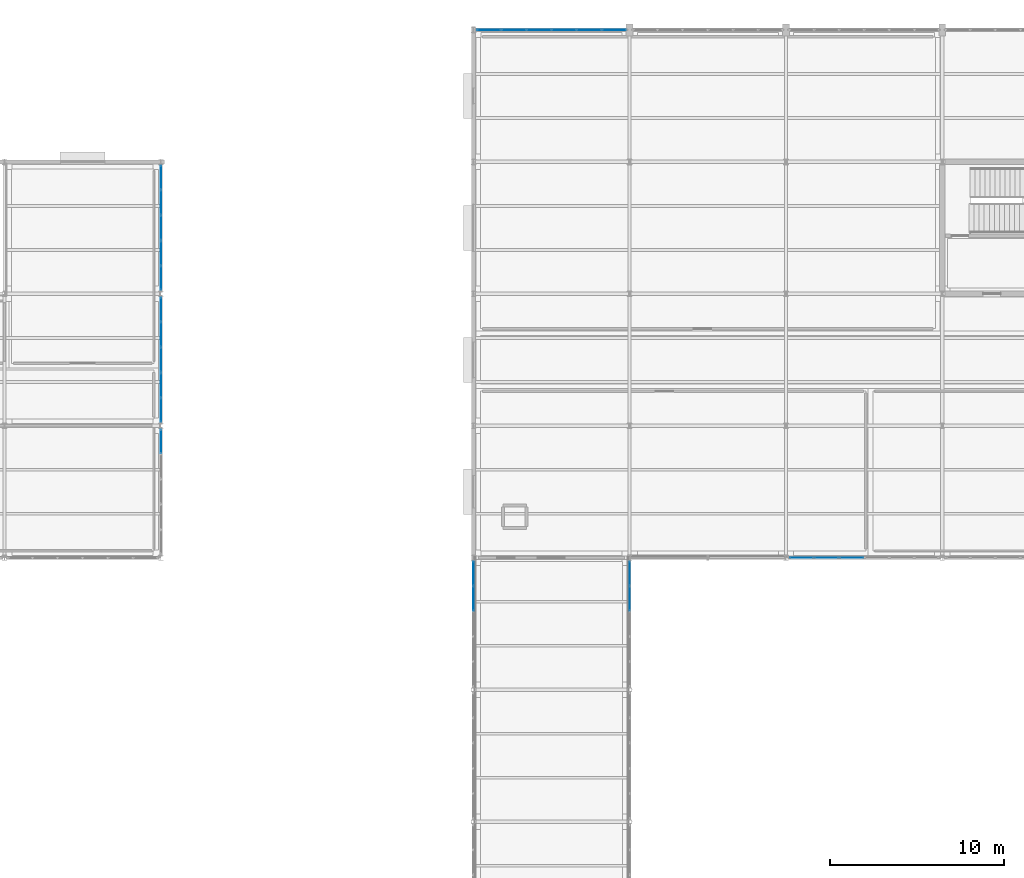
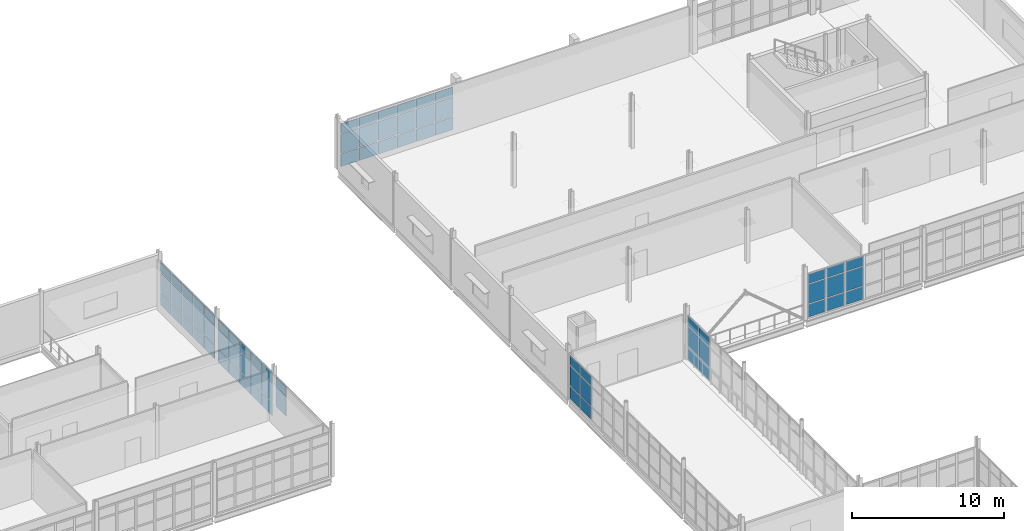
# One storey, part 137 of 174: 71 plates, 7 elements without a shape of their own.
"""IFC4 building model written with IfcOpenShell, lengths in metres."""

from ifc_helpers import new_model, si_unit, direction, frame, origin, origin_2d, place, context, subcontext, project, spatial, rectangle, extrude, material, layer, layer_set, type_object, element, aggregate, save


model = new_model("IFC4")

# Units and contexts
model_context = context("Model", 3, precision=1e-05, world=origin(), true_north=direction((0.0, 1.0)))
body_context = subcontext(model_context, "Body", "Model", "MODEL_VIEW")
ifc_project = project(units=[si_unit("LENGTHUNIT", "METRE"), si_unit("AREAUNIT", "SQUARE_METRE"), si_unit("VOLUMEUNIT", "CUBIC_METRE"), si_unit("PLANEANGLEUNIT", "RADIAN"), si_unit("MASSUNIT", "GRAM", prefix="KILO")], contexts=[model_context])

# Site, building, storey
site_placement = place(None, origin())
site = spatial("IfcSite", under=ifc_project, at=site_placement, CompositionType="ELEMENT")
building_placement = place(site_placement, origin())
building = spatial("IfcBuilding", under=site, at=building_placement, Name="Caisbarro Railhouse Central Library", CompositionType="ELEMENT")
storey_placement = place(building_placement, frame((0.0, 0.0, 5.0400390625)))
storey = spatial("IfcBuildingStorey", under=building, at=storey_placement, Name="L01", CompositionType="ELEMENT", Elevation=5.0400390625)

# Curtain wall, plates
ifc_material_1 = material(Name="Anodised architectural aluminium", Category="aluminium")
curtain_wall_type_1 = type_object("IfcCurtainWallType", Name="CW-CW02", PredefinedType="NOTDEFINED", material=ifc_material_1)
curtain_wall_1_placement = place(storey_placement, origin())
curtain_wall_1 = element("IfcCurtainWall", 1, at=curtain_wall_1_placement, inside=storey, type_object=curtain_wall_type_1, Name="CW02 curtain wall L01 #174", PredefinedType="NOTDEFINED")
ifc_material_2 = material(Name="Double low-e laminated solar-control glass", Category="glass")
ifc_layer_1 = layer(ifc_material_2, 0.01806640625, Name="Double low-e laminated solar-control glass")
ifc_layer_set_1 = layer_set([ifc_layer_1], Name="Double low-e laminated solar-control glass")
plate_type_1 = type_object("IfcPlateType", Name="CWP-CP18", PredefinedType="CURTAIN_PANEL", material=ifc_layer_set_1)
plate_1_placement = place(storey_placement, frame((72.902099609375, 83.60009765625, 0.06494140625), z_axis=(0.0, 0.0, 1.0), x_axis=(1.0, 0.0, 0.0)))
plate_1 = element("IfcPlate", 2, at=plate_1_placement, type_object=plate_type_1, Name="CW02 panel 1.1", PredefinedType="CURTAIN_PANEL", context=body_context, shape_type="SweptSolid", body=[
    extrude(rectangle(XDim=1.334228515625, YDim=0.01806640625, at=origin_2d()), origin(), (0.0, 0.0, 1.0), 1.0224609375),
])
plate_2_placement = place(storey_placement, frame((72.902099609375, 83.60009765625, 1.152587890625), z_axis=(0.0, 0.0, 1.0), x_axis=(1.0, 0.0, 0.0)))
plate_2 = element("IfcPlate", 3, at=plate_2_placement, type_object=plate_type_1, Name="CW02 panel 1.2", PredefinedType="CURTAIN_PANEL", context=body_context, shape_type="SweptSolid", body=[
    extrude(rectangle(XDim=1.334228515625, YDim=0.01806640625, at=origin_2d()), origin(), (0.0, 0.0, 1.0), 1.544921875),
])
plate_3_placement = place(storey_placement, frame((72.902099609375, 83.60009765625, 2.762451171875), z_axis=(0.0, 0.0, 1.0), x_axis=(1.0, 0.0, 0.0)))
plate_3 = element("IfcPlate", 4, at=plate_3_placement, type_object=plate_type_1, Name="CW02 panel 1.3", PredefinedType="CURTAIN_PANEL", context=body_context, shape_type="SweptSolid", body=[
    extrude(rectangle(XDim=1.334228515625, YDim=0.01806640625, at=origin_2d()), origin(), (0.0, 0.0, 1.0), 0.75244140625),
])
plate_4_placement = place(storey_placement, frame((74.330078125, 83.60009765625, 0.06494140625), z_axis=(0.0, 0.0, 1.0), x_axis=(1.0, 0.0, 0.0)))
plate_4 = element("IfcPlate", 5, at=plate_4_placement, type_object=plate_type_1, Name="CW02 panel 2.1", PredefinedType="CURTAIN_PANEL", context=body_context, shape_type="SweptSolid", body=[
    extrude(rectangle(XDim=1.37158203125, YDim=0.01806640625, at=origin_2d()), origin(), (0.0, 0.0, 1.0), 1.0224609375),
])
plate_5_placement = place(storey_placement, frame((74.330078125, 83.60009765625, 1.152587890625), z_axis=(0.0, 0.0, 1.0), x_axis=(1.0, 0.0, 0.0)))
plate_5 = element("IfcPlate", 6, at=plate_5_placement, type_object=plate_type_1, Name="CW02 panel 2.2", PredefinedType="CURTAIN_PANEL", context=body_context, shape_type="SweptSolid", body=[
    extrude(rectangle(XDim=1.37158203125, YDim=0.01806640625, at=origin_2d()), origin(), (0.0, 0.0, 1.0), 1.544921875),
])
plate_6_placement = place(storey_placement, frame((74.330078125, 83.60009765625, 2.762451171875), z_axis=(0.0, 0.0, 1.0), x_axis=(1.0, 0.0, 0.0)))
plate_6 = element("IfcPlate", 7, at=plate_6_placement, type_object=plate_type_1, Name="CW02 panel 2.3", PredefinedType="CURTAIN_PANEL", context=body_context, shape_type="SweptSolid", body=[
    extrude(rectangle(XDim=1.37158203125, YDim=0.01806640625, at=origin_2d()), origin(), (0.0, 0.0, 1.0), 0.75244140625),
])
plate_7_placement = place(storey_placement, frame((75.776611328125, 83.60009765625, 0.06494140625), z_axis=(0.0, 0.0, 1.0), x_axis=(1.0, 0.0, 0.0)))
plate_7 = element("IfcPlate", 8, at=plate_7_placement, type_object=plate_type_1, Name="CW02 panel 3.1", PredefinedType="CURTAIN_PANEL", context=body_context, shape_type="SweptSolid", body=[
    extrude(rectangle(XDim=1.37158203125, YDim=0.01806640625, at=origin_2d()), origin(), (0.0, 0.0, 1.0), 1.0224609375),
])
plate_8_placement = place(storey_placement, frame((75.776611328125, 83.60009765625, 1.152587890625), z_axis=(0.0, 0.0, 1.0), x_axis=(1.0, 0.0, 0.0)))
plate_8 = element("IfcPlate", 9, at=plate_8_placement, type_object=plate_type_1, Name="CW02 panel 3.2", PredefinedType="CURTAIN_PANEL", context=body_context, shape_type="SweptSolid", body=[
    extrude(rectangle(XDim=1.37158203125, YDim=0.01806640625, at=origin_2d()), origin(), (0.0, 0.0, 1.0), 1.544921875),
])
plate_9_placement = place(storey_placement, frame((75.776611328125, 83.60009765625, 2.762451171875), z_axis=(0.0, 0.0, 1.0), x_axis=(1.0, 0.0, 0.0)))
plate_9 = element("IfcPlate", 10, at=plate_9_placement, type_object=plate_type_1, Name="CW02 panel 3.3", PredefinedType="CURTAIN_PANEL", context=body_context, shape_type="SweptSolid", body=[
    extrude(rectangle(XDim=1.37158203125, YDim=0.01806640625, at=origin_2d()), origin(), (0.0, 0.0, 1.0), 0.75244140625),
])
aggregate(curtain_wall_1, [plate_1, plate_2, plate_3, plate_4, plate_5, plate_6, plate_7, plate_8, plate_9])

curtain_wall_type_2 = type_object("IfcCurtainWallType", Name="CW-CW03", PredefinedType="NOTDEFINED", material=ifc_material_1)
curtain_wall_2_placement = place(storey_placement, origin())
curtain_wall_2 = element("IfcCurtainWall", 11, at=curtain_wall_2_placement, inside=storey, type_object=curtain_wall_type_2, Name="CW03 curtain wall L01 #196", PredefinedType="NOTDEFINED")
plate_10_placement = place(storey_placement, frame((54.0, 81.256103515625, 0.06494140625), z_axis=(0.0, 0.0, 1.0), x_axis=(0.0, 1.0, 0.0)))
plate_10 = element("IfcPlate", 12, at=plate_10_placement, type_object=plate_type_1, Name="CW03 panel 4.1", PredefinedType="CURTAIN_PANEL", context=body_context, shape_type="SweptSolid", body=[
    extrude(rectangle(XDim=1.39111328125, YDim=0.01806640625, at=origin_2d()), origin(), (0.0, 0.0, 1.0), 1.0224609375),
])
plate_11_placement = place(storey_placement, frame((54.0, 81.256103515625, 1.15234375), z_axis=(0.0, 0.0, 1.0), x_axis=(0.0, 1.0, 0.0)))
plate_11 = element("IfcPlate", 13, at=plate_11_placement, type_object=plate_type_1, Name="CW03 panel 4.2", PredefinedType="CURTAIN_PANEL", context=body_context, shape_type="SweptSolid", body=[
    extrude(rectangle(XDim=1.39111328125, YDim=0.01806640625, at=origin_2d()), origin(), (0.0, 0.0, 1.0), 1.574951171875),
])
plate_12_placement = place(storey_placement, frame((54.0, 81.256103515625, 2.79248046875), z_axis=(0.0, 0.0, 1.0), x_axis=(0.0, 1.0, 0.0)))
plate_12 = element("IfcPlate", 14, at=plate_12_placement, type_object=plate_type_1, Name="CW03 panel 4.3", PredefinedType="CURTAIN_PANEL", context=body_context, shape_type="SweptSolid", body=[
    extrude(rectangle(XDim=1.39111328125, YDim=0.01806640625, at=origin_2d()), origin(), (0.0, 0.0, 1.0), 0.75244140625),
])
plate_13_placement = place(storey_placement, frame((54.0, 82.69580078125, 0.06494140625), z_axis=(0.0, 0.0, 1.0), x_axis=(0.0, 1.0, 0.0)))
plate_13 = element("IfcPlate", 15, at=plate_13_placement, type_object=plate_type_1, Name="CW03 panel 5.1", PredefinedType="CURTAIN_PANEL", context=body_context, shape_type="SweptSolid", body=[
    extrude(rectangle(XDim=1.3583984375, YDim=0.01806640625, at=origin_2d()), origin(), (0.0, 0.0, 1.0), 1.0224609375),
])
plate_14_placement = place(storey_placement, frame((54.0, 82.69580078125, 1.15234375), z_axis=(0.0, 0.0, 1.0), x_axis=(0.0, 1.0, 0.0)))
plate_14 = element("IfcPlate", 16, at=plate_14_placement, type_object=plate_type_1, Name="CW03 panel 5.2", PredefinedType="CURTAIN_PANEL", context=body_context, shape_type="SweptSolid", body=[
    extrude(rectangle(XDim=1.3583984375, YDim=0.01806640625, at=origin_2d()), origin(), (0.0, 0.0, 1.0), 1.574951171875),
])
plate_15_placement = place(storey_placement, frame((54.0, 82.69580078125, 2.79248046875), z_axis=(0.0, 0.0, 1.0), x_axis=(0.0, 1.0, 0.0)))
plate_15 = element("IfcPlate", 17, at=plate_15_placement, type_object=plate_type_1, Name="CW03 panel 5.3", PredefinedType="CURTAIN_PANEL", context=body_context, shape_type="SweptSolid", body=[
    extrude(rectangle(XDim=1.3583984375, YDim=0.01806640625, at=origin_2d()), origin(), (0.0, 0.0, 1.0), 0.75244140625),
])
aggregate(curtain_wall_2, [plate_10, plate_11, plate_12, plate_13, plate_14, plate_15])

curtain_wall_3_placement = place(storey_placement, origin())
curtain_wall_3 = element("IfcCurtainWall", 18, at=curtain_wall_3_placement, inside=storey, type_object=curtain_wall_type_2, Name="CW03 curtain wall L01 #197", PredefinedType="NOTDEFINED")
plate_16_placement = place(storey_placement, frame((63.0, 81.256103515625, 0.06494140625), z_axis=(0.0, 0.0, 1.0), x_axis=(0.0, 1.0, 0.0)))
plate_16 = element("IfcPlate", 19, at=plate_16_placement, type_object=plate_type_1, Name="CW03 panel 4.1", PredefinedType="CURTAIN_PANEL", context=body_context, shape_type="SweptSolid", body=[
    extrude(rectangle(XDim=1.39111328125, YDim=0.01806640625, at=origin_2d()), origin(), (0.0, 0.0, 1.0), 1.0224609375),
])
plate_17_placement = place(storey_placement, frame((63.0, 81.256103515625, 1.15234375), z_axis=(0.0, 0.0, 1.0), x_axis=(0.0, 1.0, 0.0)))
plate_17 = element("IfcPlate", 20, at=plate_17_placement, type_object=plate_type_1, Name="CW03 panel 4.2", PredefinedType="CURTAIN_PANEL", context=body_context, shape_type="SweptSolid", body=[
    extrude(rectangle(XDim=1.39111328125, YDim=0.01806640625, at=origin_2d()), origin(), (0.0, 0.0, 1.0), 1.574951171875),
])
plate_18_placement = place(storey_placement, frame((63.0, 81.256103515625, 2.79248046875), z_axis=(0.0, 0.0, 1.0), x_axis=(0.0, 1.0, 0.0)))
plate_18 = element("IfcPlate", 21, at=plate_18_placement, type_object=plate_type_1, Name="CW03 panel 4.3", PredefinedType="CURTAIN_PANEL", context=body_context, shape_type="SweptSolid", body=[
    extrude(rectangle(XDim=1.39111328125, YDim=0.01806640625, at=origin_2d()), origin(), (0.0, 0.0, 1.0), 0.75244140625),
])
plate_19_placement = place(storey_placement, frame((63.0, 82.69580078125, 0.06494140625), z_axis=(0.0, 0.0, 1.0), x_axis=(0.0, 1.0, 0.0)))
plate_19 = element("IfcPlate", 22, at=plate_19_placement, type_object=plate_type_1, Name="CW03 panel 5.1", PredefinedType="CURTAIN_PANEL", context=body_context, shape_type="SweptSolid", body=[
    extrude(rectangle(XDim=1.3583984375, YDim=0.01806640625, at=origin_2d()), origin(), (0.0, 0.0, 1.0), 1.0224609375),
])
plate_20_placement = place(storey_placement, frame((63.0, 82.69580078125, 1.15234375), z_axis=(0.0, 0.0, 1.0), x_axis=(0.0, 1.0, 0.0)))
plate_20 = element("IfcPlate", 23, at=plate_20_placement, type_object=plate_type_1, Name="CW03 panel 5.2", PredefinedType="CURTAIN_PANEL", context=body_context, shape_type="SweptSolid", body=[
    extrude(rectangle(XDim=1.3583984375, YDim=0.01806640625, at=origin_2d()), origin(), (0.0, 0.0, 1.0), 1.574951171875),
])
plate_21_placement = place(storey_placement, frame((63.0, 82.69580078125, 2.79248046875), z_axis=(0.0, 0.0, 1.0), x_axis=(0.0, 1.0, 0.0)))
plate_21 = element("IfcPlate", 24, at=plate_21_placement, type_object=plate_type_1, Name="CW03 panel 5.3", PredefinedType="CURTAIN_PANEL", context=body_context, shape_type="SweptSolid", body=[
    extrude(rectangle(XDim=1.3583984375, YDim=0.01806640625, at=origin_2d()), origin(), (0.0, 0.0, 1.0), 0.75244140625),
])
aggregate(curtain_wall_3, [plate_16, plate_17, plate_18, plate_19, plate_20, plate_21])

curtain_wall_4_placement = place(storey_placement, origin())
curtain_wall_4 = element("IfcCurtainWall", 25, at=curtain_wall_4_placement, inside=storey, type_object=curtain_wall_type_1, Name="CW02 curtain wall L01 #83", PredefinedType="NOTDEFINED")
ifc_layer_2 = layer(ifc_material_2, 0.028076171875, Name="Double low-e laminated solar-control glass")
ifc_layer_set_2 = layer_set([ifc_layer_2], Name="Double low-e laminated solar-control glass")
plate_type_2 = type_object("IfcPlateType", Name="CWP-CP28", PredefinedType="CURTAIN_PANEL", material=ifc_layer_set_2)
plate_22_placement = place(storey_placement, frame((36.0, 90.293212890625, 1.152587890625), z_axis=(0.0, 0.0, 1.0), x_axis=(0.0, 1.0, 0.0)))
plate_22 = element("IfcPlate", 26, at=plate_22_placement, type_object=plate_type_2, Name="CW02 panel 5.2", PredefinedType="CURTAIN_PANEL", context=body_context, shape_type="SweptSolid", body=[
    extrude(rectangle(XDim=1.343505859375, YDim=0.028076171875, at=origin_2d()), origin(), (0.0, 0.0, 1.0), 1.544921875),
])
plate_23_placement = place(storey_placement, frame((36.0, 90.293212890625, 2.762451171875), z_axis=(0.0, 0.0, 1.0), x_axis=(0.0, 1.0, 0.0)))
plate_23 = element("IfcPlate", 27, at=plate_23_placement, type_object=plate_type_2, Name="CW02 panel 5.3", PredefinedType="CURTAIN_PANEL", context=body_context, shape_type="SweptSolid", body=[
    extrude(rectangle(XDim=1.343505859375, YDim=0.028076171875, at=origin_2d()), origin(), (0.0, 0.0, 1.0), 0.75244140625),
])
aggregate(curtain_wall_4, [plate_22, plate_23])

curtain_wall_5_placement = place(storey_placement, origin())
curtain_wall_5 = element("IfcCurtainWall", 28, at=curtain_wall_5_placement, inside=storey, type_object=curtain_wall_type_1, Name="CW02 curtain wall L01 #84", PredefinedType="NOTDEFINED")
plate_24_placement = place(storey_placement, frame((36.0, 92.106689453125, 0.06494140625), z_axis=(0.0, 0.0, 1.0), x_axis=(0.0, 1.0, 0.0)))
plate_24 = element("IfcPlate", 29, at=plate_24_placement, type_object=plate_type_2, Name="CW02 panel 1.1", PredefinedType="CURTAIN_PANEL", context=body_context, shape_type="SweptSolid", body=[
    extrude(rectangle(XDim=1.343505859375, YDim=0.028076171875, at=origin_2d()), origin(), (0.0, 0.0, 1.0), 1.0224609375),
])
plate_25_placement = place(storey_placement, frame((36.0, 92.106689453125, 1.152587890625), z_axis=(0.0, 0.0, 1.0), x_axis=(0.0, 1.0, 0.0)))
plate_25 = element("IfcPlate", 30, at=plate_25_placement, type_object=plate_type_2, Name="CW02 panel 1.2", PredefinedType="CURTAIN_PANEL", context=body_context, shape_type="SweptSolid", body=[
    extrude(rectangle(XDim=1.343505859375, YDim=0.028076171875, at=origin_2d()), origin(), (0.0, 0.0, 1.0), 1.544921875),
])
plate_26_placement = place(storey_placement, frame((36.0, 92.106689453125, 2.762451171875), z_axis=(0.0, 0.0, 1.0), x_axis=(0.0, 1.0, 0.0)))
plate_26 = element("IfcPlate", 31, at=plate_26_placement, type_object=plate_type_2, Name="CW02 panel 1.3", PredefinedType="CURTAIN_PANEL", context=body_context, shape_type="SweptSolid", body=[
    extrude(rectangle(XDim=1.343505859375, YDim=0.028076171875, at=origin_2d()), origin(), (0.0, 0.0, 1.0), 0.75244140625),
])
plate_27_placement = place(storey_placement, frame((36.0, 93.5439453125, 0.06494140625), z_axis=(0.0, 0.0, 1.0), x_axis=(0.0, 1.0, 0.0)))
plate_27 = element("IfcPlate", 32, at=plate_27_placement, type_object=plate_type_2, Name="CW02 panel 2.1", PredefinedType="CURTAIN_PANEL", context=body_context, shape_type="SweptSolid", body=[
    extrude(rectangle(XDim=1.381103515625, YDim=0.028076171875, at=origin_2d()), origin(), (0.0, 0.0, 1.0), 1.0224609375),
])
plate_28_placement = place(storey_placement, frame((36.0, 93.5439453125, 1.152587890625), z_axis=(0.0, 0.0, 1.0), x_axis=(0.0, 1.0, 0.0)))
plate_28 = element("IfcPlate", 33, at=plate_28_placement, type_object=plate_type_2, Name="CW02 panel 2.2", PredefinedType="CURTAIN_PANEL", context=body_context, shape_type="SweptSolid", body=[
    extrude(rectangle(XDim=1.381103515625, YDim=0.028076171875, at=origin_2d()), origin(), (0.0, 0.0, 1.0), 1.544921875),
])
plate_29_placement = place(storey_placement, frame((36.0, 93.5439453125, 2.762451171875), z_axis=(0.0, 0.0, 1.0), x_axis=(0.0, 1.0, 0.0)))
plate_29 = element("IfcPlate", 34, at=plate_29_placement, type_object=plate_type_2, Name="CW02 panel 2.3", PredefinedType="CURTAIN_PANEL", context=body_context, shape_type="SweptSolid", body=[
    extrude(rectangle(XDim=1.381103515625, YDim=0.028076171875, at=origin_2d()), origin(), (0.0, 0.0, 1.0), 0.75244140625),
])
plate_30_placement = place(storey_placement, frame((36.0, 95.0, 0.06494140625), z_axis=(0.0, 0.0, 1.0), x_axis=(0.0, 1.0, 0.0)))
plate_30 = element("IfcPlate", 35, at=plate_30_placement, type_object=plate_type_2, Name="CW02 panel 3.1", PredefinedType="CURTAIN_PANEL", context=body_context, shape_type="SweptSolid", body=[
    extrude(rectangle(XDim=1.381103515625, YDim=0.028076171875, at=origin_2d()), origin(), (0.0, 0.0, 1.0), 1.0224609375),
])
plate_31_placement = place(storey_placement, frame((36.0, 95.0, 1.152587890625), z_axis=(0.0, 0.0, 1.0), x_axis=(0.0, 1.0, 0.0)))
plate_31 = element("IfcPlate", 36, at=plate_31_placement, type_object=plate_type_2, Name="CW02 panel 3.2", PredefinedType="CURTAIN_PANEL", context=body_context, shape_type="SweptSolid", body=[
    extrude(rectangle(XDim=1.381103515625, YDim=0.028076171875, at=origin_2d()), origin(), (0.0, 0.0, 1.0), 1.544921875),
])
plate_32_placement = place(storey_placement, frame((36.0, 95.0, 2.762451171875), z_axis=(0.0, 0.0, 1.0), x_axis=(0.0, 1.0, 0.0)))
plate_32 = element("IfcPlate", 37, at=plate_32_placement, type_object=plate_type_2, Name="CW02 panel 3.3", PredefinedType="CURTAIN_PANEL", context=body_context, shape_type="SweptSolid", body=[
    extrude(rectangle(XDim=1.381103515625, YDim=0.028076171875, at=origin_2d()), origin(), (0.0, 0.0, 1.0), 0.75244140625),
])
plate_33_placement = place(storey_placement, frame((36.0, 96.4560546875, 0.06494140625), z_axis=(0.0, 0.0, 1.0), x_axis=(0.0, 1.0, 0.0)))
plate_33 = element("IfcPlate", 38, at=plate_33_placement, type_object=plate_type_2, Name="CW02 panel 4.1", PredefinedType="CURTAIN_PANEL", context=body_context, shape_type="SweptSolid", body=[
    extrude(rectangle(XDim=1.381103515625, YDim=0.028076171875, at=origin_2d()), origin(), (0.0, 0.0, 1.0), 1.0224609375),
])
plate_34_placement = place(storey_placement, frame((36.0, 96.4560546875, 1.152587890625), z_axis=(0.0, 0.0, 1.0), x_axis=(0.0, 1.0, 0.0)))
plate_34 = element("IfcPlate", 39, at=plate_34_placement, type_object=plate_type_2, Name="CW02 panel 4.2", PredefinedType="CURTAIN_PANEL", context=body_context, shape_type="SweptSolid", body=[
    extrude(rectangle(XDim=1.381103515625, YDim=0.028076171875, at=origin_2d()), origin(), (0.0, 0.0, 1.0), 1.544921875),
])
plate_35_placement = place(storey_placement, frame((36.0, 96.4560546875, 2.762451171875), z_axis=(0.0, 0.0, 1.0), x_axis=(0.0, 1.0, 0.0)))
plate_35 = element("IfcPlate", 40, at=plate_35_placement, type_object=plate_type_2, Name="CW02 panel 4.3", PredefinedType="CURTAIN_PANEL", context=body_context, shape_type="SweptSolid", body=[
    extrude(rectangle(XDim=1.381103515625, YDim=0.028076171875, at=origin_2d()), origin(), (0.0, 0.0, 1.0), 0.75244140625),
])
plate_36_placement = place(storey_placement, frame((36.0, 97.893310546875, 0.06494140625), z_axis=(0.0, 0.0, 1.0), x_axis=(0.0, 1.0, 0.0)))
plate_36 = element("IfcPlate", 41, at=plate_36_placement, type_object=plate_type_2, Name="CW02 panel 5.1", PredefinedType="CURTAIN_PANEL", context=body_context, shape_type="SweptSolid", body=[
    extrude(rectangle(XDim=1.343505859375, YDim=0.028076171875, at=origin_2d()), origin(), (0.0, 0.0, 1.0), 1.0224609375),
])
plate_37_placement = place(storey_placement, frame((36.0, 97.893310546875, 1.152587890625), z_axis=(0.0, 0.0, 1.0), x_axis=(0.0, 1.0, 0.0)))
plate_37 = element("IfcPlate", 42, at=plate_37_placement, type_object=plate_type_2, Name="CW02 panel 5.2", PredefinedType="CURTAIN_PANEL", context=body_context, shape_type="SweptSolid", body=[
    extrude(rectangle(XDim=1.343505859375, YDim=0.028076171875, at=origin_2d()), origin(), (0.0, 0.0, 1.0), 1.544921875),
])
plate_38_placement = place(storey_placement, frame((36.0, 97.893310546875, 2.762451171875), z_axis=(0.0, 0.0, 1.0), x_axis=(0.0, 1.0, 0.0)))
plate_38 = element("IfcPlate", 43, at=plate_38_placement, type_object=plate_type_2, Name="CW02 panel 5.3", PredefinedType="CURTAIN_PANEL", context=body_context, shape_type="SweptSolid", body=[
    extrude(rectangle(XDim=1.343505859375, YDim=0.028076171875, at=origin_2d()), origin(), (0.0, 0.0, 1.0), 0.75244140625),
])
aggregate(curtain_wall_5, [plate_24, plate_25, plate_26, plate_27, plate_28, plate_29, plate_30, plate_31, plate_32, plate_33, plate_34, plate_35, plate_36, plate_37, plate_38])

curtain_wall_6_placement = place(storey_placement, origin())
curtain_wall_6 = element("IfcCurtainWall", 44, at=curtain_wall_6_placement, inside=storey, type_object=curtain_wall_type_1, Name="CW02 curtain wall L01 #85", PredefinedType="NOTDEFINED")
plate_39_placement = place(storey_placement, frame((36.0, 99.706787109375, 0.06494140625), z_axis=(0.0, 0.0, 1.0), x_axis=(0.0, 1.0, 0.0)))
plate_39 = element("IfcPlate", 45, at=plate_39_placement, type_object=plate_type_2, Name="CW02 panel 1.1", PredefinedType="CURTAIN_PANEL", context=body_context, shape_type="SweptSolid", body=[
    extrude(rectangle(XDim=1.343505859375, YDim=0.028076171875, at=origin_2d()), origin(), (0.0, 0.0, 1.0), 1.0224609375),
])
plate_40_placement = place(storey_placement, frame((36.0, 99.706787109375, 1.152587890625), z_axis=(0.0, 0.0, 1.0), x_axis=(0.0, 1.0, 0.0)))
plate_40 = element("IfcPlate", 46, at=plate_40_placement, type_object=plate_type_2, Name="CW02 panel 1.2", PredefinedType="CURTAIN_PANEL", context=body_context, shape_type="SweptSolid", body=[
    extrude(rectangle(XDim=1.343505859375, YDim=0.028076171875, at=origin_2d()), origin(), (0.0, 0.0, 1.0), 1.544921875),
])
plate_41_placement = place(storey_placement, frame((36.0, 99.706787109375, 2.762451171875), z_axis=(0.0, 0.0, 1.0), x_axis=(0.0, 1.0, 0.0)))
plate_41 = element("IfcPlate", 47, at=plate_41_placement, type_object=plate_type_2, Name="CW02 panel 1.3", PredefinedType="CURTAIN_PANEL", context=body_context, shape_type="SweptSolid", body=[
    extrude(rectangle(XDim=1.343505859375, YDim=0.028076171875, at=origin_2d()), origin(), (0.0, 0.0, 1.0), 0.75244140625),
])
plate_42_placement = place(storey_placement, frame((36.0, 101.14404296875, 0.06494140625), z_axis=(0.0, 0.0, 1.0), x_axis=(0.0, 1.0, 0.0)))
plate_42 = element("IfcPlate", 48, at=plate_42_placement, type_object=plate_type_2, Name="CW02 panel 2.1", PredefinedType="CURTAIN_PANEL", context=body_context, shape_type="SweptSolid", body=[
    extrude(rectangle(XDim=1.381103515625, YDim=0.028076171875, at=origin_2d()), origin(), (0.0, 0.0, 1.0), 1.0224609375),
])
plate_43_placement = place(storey_placement, frame((36.0, 101.14404296875, 1.152587890625), z_axis=(0.0, 0.0, 1.0), x_axis=(0.0, 1.0, 0.0)))
plate_43 = element("IfcPlate", 49, at=plate_43_placement, type_object=plate_type_2, Name="CW02 panel 2.2", PredefinedType="CURTAIN_PANEL", context=body_context, shape_type="SweptSolid", body=[
    extrude(rectangle(XDim=1.381103515625, YDim=0.028076171875, at=origin_2d()), origin(), (0.0, 0.0, 1.0), 1.544921875),
])
plate_44_placement = place(storey_placement, frame((36.0, 101.14404296875, 2.762451171875), z_axis=(0.0, 0.0, 1.0), x_axis=(0.0, 1.0, 0.0)))
plate_44 = element("IfcPlate", 50, at=plate_44_placement, type_object=plate_type_2, Name="CW02 panel 2.3", PredefinedType="CURTAIN_PANEL", context=body_context, shape_type="SweptSolid", body=[
    extrude(rectangle(XDim=1.381103515625, YDim=0.028076171875, at=origin_2d()), origin(), (0.0, 0.0, 1.0), 0.75244140625),
])
plate_45_placement = place(storey_placement, frame((36.0, 102.60009765625, 0.06494140625), z_axis=(0.0, 0.0, 1.0), x_axis=(0.0, 1.0, 0.0)))
plate_45 = element("IfcPlate", 51, at=plate_45_placement, type_object=plate_type_2, Name="CW02 panel 3.1", PredefinedType="CURTAIN_PANEL", context=body_context, shape_type="SweptSolid", body=[
    extrude(rectangle(XDim=1.381103515625, YDim=0.028076171875, at=origin_2d()), origin(), (0.0, 0.0, 1.0), 1.0224609375),
])
plate_46_placement = place(storey_placement, frame((36.0, 102.60009765625, 1.152587890625), z_axis=(0.0, 0.0, 1.0), x_axis=(0.0, 1.0, 0.0)))
plate_46 = element("IfcPlate", 52, at=plate_46_placement, type_object=plate_type_2, Name="CW02 panel 3.2", PredefinedType="CURTAIN_PANEL", context=body_context, shape_type="SweptSolid", body=[
    extrude(rectangle(XDim=1.381103515625, YDim=0.028076171875, at=origin_2d()), origin(), (0.0, 0.0, 1.0), 1.544921875),
])
plate_47_placement = place(storey_placement, frame((36.0, 102.60009765625, 2.762451171875), z_axis=(0.0, 0.0, 1.0), x_axis=(0.0, 1.0, 0.0)))
plate_47 = element("IfcPlate", 53, at=plate_47_placement, type_object=plate_type_2, Name="CW02 panel 3.3", PredefinedType="CURTAIN_PANEL", context=body_context, shape_type="SweptSolid", body=[
    extrude(rectangle(XDim=1.381103515625, YDim=0.028076171875, at=origin_2d()), origin(), (0.0, 0.0, 1.0), 0.75244140625),
])
plate_48_placement = place(storey_placement, frame((36.0, 104.055908203125, 0.06494140625), z_axis=(0.0, 0.0, 1.0), x_axis=(0.0, 1.0, 0.0)))
plate_48 = element("IfcPlate", 54, at=plate_48_placement, type_object=plate_type_2, Name="CW02 panel 4.1", PredefinedType="CURTAIN_PANEL", context=body_context, shape_type="SweptSolid", body=[
    extrude(rectangle(XDim=1.381103515625, YDim=0.028076171875, at=origin_2d()), origin(), (0.0, 0.0, 1.0), 1.0224609375),
])
plate_49_placement = place(storey_placement, frame((36.0, 104.055908203125, 1.152587890625), z_axis=(0.0, 0.0, 1.0), x_axis=(0.0, 1.0, 0.0)))
plate_49 = element("IfcPlate", 55, at=plate_49_placement, type_object=plate_type_2, Name="CW02 panel 4.2", PredefinedType="CURTAIN_PANEL", context=body_context, shape_type="SweptSolid", body=[
    extrude(rectangle(XDim=1.381103515625, YDim=0.028076171875, at=origin_2d()), origin(), (0.0, 0.0, 1.0), 1.544921875),
])
plate_50_placement = place(storey_placement, frame((36.0, 104.055908203125, 2.762451171875), z_axis=(0.0, 0.0, 1.0), x_axis=(0.0, 1.0, 0.0)))
plate_50 = element("IfcPlate", 56, at=plate_50_placement, type_object=plate_type_2, Name="CW02 panel 4.3", PredefinedType="CURTAIN_PANEL", context=body_context, shape_type="SweptSolid", body=[
    extrude(rectangle(XDim=1.381103515625, YDim=0.028076171875, at=origin_2d()), origin(), (0.0, 0.0, 1.0), 0.75244140625),
])
plate_51_placement = place(storey_placement, frame((36.0, 105.4931640625, 0.06494140625), z_axis=(0.0, 0.0, 1.0), x_axis=(0.0, 1.0, 0.0)))
plate_51 = element("IfcPlate", 57, at=plate_51_placement, type_object=plate_type_2, Name="CW02 panel 5.1", PredefinedType="CURTAIN_PANEL", context=body_context, shape_type="SweptSolid", body=[
    extrude(rectangle(XDim=1.343505859375, YDim=0.028076171875, at=origin_2d()), origin(), (0.0, 0.0, 1.0), 1.0224609375),
])
plate_52_placement = place(storey_placement, frame((36.0, 105.4931640625, 1.152587890625), z_axis=(0.0, 0.0, 1.0), x_axis=(0.0, 1.0, 0.0)))
plate_52 = element("IfcPlate", 58, at=plate_52_placement, type_object=plate_type_2, Name="CW02 panel 5.2", PredefinedType="CURTAIN_PANEL", context=body_context, shape_type="SweptSolid", body=[
    extrude(rectangle(XDim=1.343505859375, YDim=0.028076171875, at=origin_2d()), origin(), (0.0, 0.0, 1.0), 1.544921875),
])
plate_53_placement = place(storey_placement, frame((36.0, 105.4931640625, 2.762451171875), z_axis=(0.0, 0.0, 1.0), x_axis=(0.0, 1.0, 0.0)))
plate_53 = element("IfcPlate", 59, at=plate_53_placement, type_object=plate_type_2, Name="CW02 panel 5.3", PredefinedType="CURTAIN_PANEL", context=body_context, shape_type="SweptSolid", body=[
    extrude(rectangle(XDim=1.343505859375, YDim=0.028076171875, at=origin_2d()), origin(), (0.0, 0.0, 1.0), 0.75244140625),
])
aggregate(curtain_wall_6, [plate_39, plate_40, plate_41, plate_42, plate_43, plate_44, plate_45, plate_46, plate_47, plate_48, plate_49, plate_50, plate_51, plate_52, plate_53])

curtain_wall_7_placement = place(storey_placement, origin())
curtain_wall_7 = element("IfcCurtainWall", 60, at=curtain_wall_7_placement, inside=storey, type_object=curtain_wall_type_2, Name="CW03 curtain wall L01 #172", PredefinedType="NOTDEFINED")
ifc_layer_3 = layer(ifc_material_2, 0.0380859375, Name="Double low-e laminated solar-control glass")
ifc_layer_set_3 = layer_set([ifc_layer_3], Name="Double low-e laminated solar-control glass")
plate_type_3 = type_object("IfcPlateType", Name="CWP-CP38", PredefinedType="CURTAIN_PANEL", material=ifc_layer_set_3)
plate_54_placement = place(storey_placement, frame((54.899658203125, 114.0, 0.07470703125), z_axis=(0.0, 0.0, 1.0), x_axis=(1.0, 0.0, 0.0)))
plate_54 = element("IfcPlate", 61, at=plate_54_placement, type_object=plate_type_3, Name="CW03 panel 1.1", PredefinedType="CURTAIN_PANEL", context=body_context, shape_type="SweptSolid", body=[
    extrude(rectangle(XDim=1.34912109375, YDim=0.0380859375, at=origin_2d()), origin(), (0.0, 0.0, 1.0), 1.007568359375),
])
plate_55_placement = place(storey_placement, frame((54.899658203125, 114.0, 1.15771484375), z_axis=(0.0, 0.0, 1.0), x_axis=(1.0, 0.0, 0.0)))
plate_55 = element("IfcPlate", 62, at=plate_55_placement, type_object=plate_type_3, Name="CW03 panel 1.2", PredefinedType="CURTAIN_PANEL", context=body_context, shape_type="SweptSolid", body=[
    extrude(rectangle(XDim=1.34912109375, YDim=0.0380859375, at=origin_2d()), origin(), (0.0, 0.0, 1.0), 1.534912109375),
])
plate_56_placement = place(storey_placement, frame((54.899658203125, 114.0, 2.767578125), z_axis=(0.0, 0.0, 1.0), x_axis=(1.0, 0.0, 0.0)))
plate_56 = element("IfcPlate", 63, at=plate_56_placement, type_object=plate_type_3, Name="CW03 panel 1.3", PredefinedType="CURTAIN_PANEL", context=body_context, shape_type="SweptSolid", body=[
    extrude(rectangle(XDim=1.34912109375, YDim=0.0380859375, at=origin_2d()), origin(), (0.0, 0.0, 1.0), 0.737548828125),
])
plate_57_placement = place(storey_placement, frame((56.330078125, 114.0, 0.07470703125), z_axis=(0.0, 0.0, 1.0), x_axis=(1.0, 0.0, 0.0)))
plate_57 = element("IfcPlate", 64, at=plate_57_placement, type_object=plate_type_3, Name="CW03 panel 2.1", PredefinedType="CURTAIN_PANEL", context=body_context, shape_type="SweptSolid", body=[
    extrude(rectangle(XDim=1.381591796875, YDim=0.0380859375, at=origin_2d()), origin(), (0.0, 0.0, 1.0), 1.007568359375),
])
plate_58_placement = place(storey_placement, frame((56.330078125, 114.0, 1.15771484375), z_axis=(0.0, 0.0, 1.0), x_axis=(1.0, 0.0, 0.0)))
plate_58 = element("IfcPlate", 65, at=plate_58_placement, type_object=plate_type_3, Name="CW03 panel 2.2", PredefinedType="CURTAIN_PANEL", context=body_context, shape_type="SweptSolid", body=[
    extrude(rectangle(XDim=1.381591796875, YDim=0.0380859375, at=origin_2d()), origin(), (0.0, 0.0, 1.0), 1.534912109375),
])
plate_59_placement = place(storey_placement, frame((56.330078125, 114.0, 2.767578125), z_axis=(0.0, 0.0, 1.0), x_axis=(1.0, 0.0, 0.0)))
plate_59 = element("IfcPlate", 66, at=plate_59_placement, type_object=plate_type_3, Name="CW03 panel 2.3", PredefinedType="CURTAIN_PANEL", context=body_context, shape_type="SweptSolid", body=[
    extrude(rectangle(XDim=1.381591796875, YDim=0.0380859375, at=origin_2d()), origin(), (0.0, 0.0, 1.0), 0.737548828125),
])
plate_60_placement = place(storey_placement, frame((57.776611328125, 114.0, 0.07470703125), z_axis=(0.0, 0.0, 1.0), x_axis=(1.0, 0.0, 0.0)))
plate_60 = element("IfcPlate", 67, at=plate_60_placement, type_object=plate_type_3, Name="CW03 panel 3.1", PredefinedType="CURTAIN_PANEL", context=body_context, shape_type="SweptSolid", body=[
    extrude(rectangle(XDim=1.381591796875, YDim=0.0380859375, at=origin_2d()), origin(), (0.0, 0.0, 1.0), 1.007568359375),
])
plate_61_placement = place(storey_placement, frame((57.776611328125, 114.0, 1.15771484375), z_axis=(0.0, 0.0, 1.0), x_axis=(1.0, 0.0, 0.0)))
plate_61 = element("IfcPlate", 68, at=plate_61_placement, type_object=plate_type_3, Name="CW03 panel 3.2", PredefinedType="CURTAIN_PANEL", context=body_context, shape_type="SweptSolid", body=[
    extrude(rectangle(XDim=1.381591796875, YDim=0.0380859375, at=origin_2d()), origin(), (0.0, 0.0, 1.0), 1.534912109375),
])
plate_62_placement = place(storey_placement, frame((57.776611328125, 114.0, 2.767578125), z_axis=(0.0, 0.0, 1.0), x_axis=(1.0, 0.0, 0.0)))
plate_62 = element("IfcPlate", 69, at=plate_62_placement, type_object=plate_type_3, Name="CW03 panel 3.3", PredefinedType="CURTAIN_PANEL", context=body_context, shape_type="SweptSolid", body=[
    extrude(rectangle(XDim=1.381591796875, YDim=0.0380859375, at=origin_2d()), origin(), (0.0, 0.0, 1.0), 0.737548828125),
])
plate_63_placement = place(storey_placement, frame((59.223388671875, 114.0, 0.07470703125), z_axis=(0.0, 0.0, 1.0), x_axis=(1.0, 0.0, 0.0)))
plate_63 = element("IfcPlate", 70, at=plate_63_placement, type_object=plate_type_3, Name="CW03 panel 4.1", PredefinedType="CURTAIN_PANEL", context=body_context, shape_type="SweptSolid", body=[
    extrude(rectangle(XDim=1.381591796875, YDim=0.0380859375, at=origin_2d()), origin(), (0.0, 0.0, 1.0), 1.007568359375),
])
plate_64_placement = place(storey_placement, frame((59.223388671875, 114.0, 1.15771484375), z_axis=(0.0, 0.0, 1.0), x_axis=(1.0, 0.0, 0.0)))
plate_64 = element("IfcPlate", 71, at=plate_64_placement, type_object=plate_type_3, Name="CW03 panel 4.2", PredefinedType="CURTAIN_PANEL", context=body_context, shape_type="SweptSolid", body=[
    extrude(rectangle(XDim=1.381591796875, YDim=0.0380859375, at=origin_2d()), origin(), (0.0, 0.0, 1.0), 1.534912109375),
])
plate_65_placement = place(storey_placement, frame((59.223388671875, 114.0, 2.767578125), z_axis=(0.0, 0.0, 1.0), x_axis=(1.0, 0.0, 0.0)))
plate_65 = element("IfcPlate", 72, at=plate_65_placement, type_object=plate_type_3, Name="CW03 panel 4.3", PredefinedType="CURTAIN_PANEL", context=body_context, shape_type="SweptSolid", body=[
    extrude(rectangle(XDim=1.381591796875, YDim=0.0380859375, at=origin_2d()), origin(), (0.0, 0.0, 1.0), 0.737548828125),
])
plate_66_placement = place(storey_placement, frame((60.669921875, 114.0, 0.07470703125), z_axis=(0.0, 0.0, 1.0), x_axis=(1.0, 0.0, 0.0)))
plate_66 = element("IfcPlate", 73, at=plate_66_placement, type_object=plate_type_3, Name="CW03 panel 5.1", PredefinedType="CURTAIN_PANEL", context=body_context, shape_type="SweptSolid", body=[
    extrude(rectangle(XDim=1.381591796875, YDim=0.0380859375, at=origin_2d()), origin(), (0.0, 0.0, 1.0), 1.007568359375),
])
plate_67_placement = place(storey_placement, frame((60.669921875, 114.0, 1.15771484375), z_axis=(0.0, 0.0, 1.0), x_axis=(1.0, 0.0, 0.0)))
plate_67 = element("IfcPlate", 74, at=plate_67_placement, type_object=plate_type_3, Name="CW03 panel 5.2", PredefinedType="CURTAIN_PANEL", context=body_context, shape_type="SweptSolid", body=[
    extrude(rectangle(XDim=1.381591796875, YDim=0.0380859375, at=origin_2d()), origin(), (0.0, 0.0, 1.0), 1.534912109375),
])
plate_68_placement = place(storey_placement, frame((60.669921875, 114.0, 2.767578125), z_axis=(0.0, 0.0, 1.0), x_axis=(1.0, 0.0, 0.0)))
plate_68 = element("IfcPlate", 75, at=plate_68_placement, type_object=plate_type_3, Name="CW03 panel 5.3", PredefinedType="CURTAIN_PANEL", context=body_context, shape_type="SweptSolid", body=[
    extrude(rectangle(XDim=1.381591796875, YDim=0.0380859375, at=origin_2d()), origin(), (0.0, 0.0, 1.0), 0.737548828125),
])
plate_69_placement = place(storey_placement, frame((62.100341796875, 114.0, 0.07470703125), z_axis=(0.0, 0.0, 1.0), x_axis=(1.0, 0.0, 0.0)))
plate_69 = element("IfcPlate", 76, at=plate_69_placement, type_object=plate_type_3, Name="CW03 panel 6.1", PredefinedType="CURTAIN_PANEL", context=body_context, shape_type="SweptSolid", body=[
    extrude(rectangle(XDim=1.34912109375, YDim=0.0380859375, at=origin_2d()), origin(), (0.0, 0.0, 1.0), 1.007568359375),
])
plate_70_placement = place(storey_placement, frame((62.100341796875, 114.0, 1.15771484375), z_axis=(0.0, 0.0, 1.0), x_axis=(1.0, 0.0, 0.0)))
plate_70 = element("IfcPlate", 77, at=plate_70_placement, type_object=plate_type_3, Name="CW03 panel 6.2", PredefinedType="CURTAIN_PANEL", context=body_context, shape_type="SweptSolid", body=[
    extrude(rectangle(XDim=1.34912109375, YDim=0.0380859375, at=origin_2d()), origin(), (0.0, 0.0, 1.0), 1.534912109375),
])
plate_71_placement = place(storey_placement, frame((62.100341796875, 114.0, 2.767578125), z_axis=(0.0, 0.0, 1.0), x_axis=(1.0, 0.0, 0.0)))
plate_71 = element("IfcPlate", 78, at=plate_71_placement, type_object=plate_type_3, Name="CW03 panel 6.3", PredefinedType="CURTAIN_PANEL", context=body_context, shape_type="SweptSolid", body=[
    extrude(rectangle(XDim=1.34912109375, YDim=0.0380859375, at=origin_2d()), origin(), (0.0, 0.0, 1.0), 0.737548828125),
])
aggregate(curtain_wall_7, [plate_54, plate_55, plate_56, plate_57, plate_58, plate_59, plate_60, plate_61, plate_62, plate_63, plate_64, plate_65, plate_66, plate_67, plate_68, plate_69, plate_70, plate_71])

save(model, "model.ifc")
